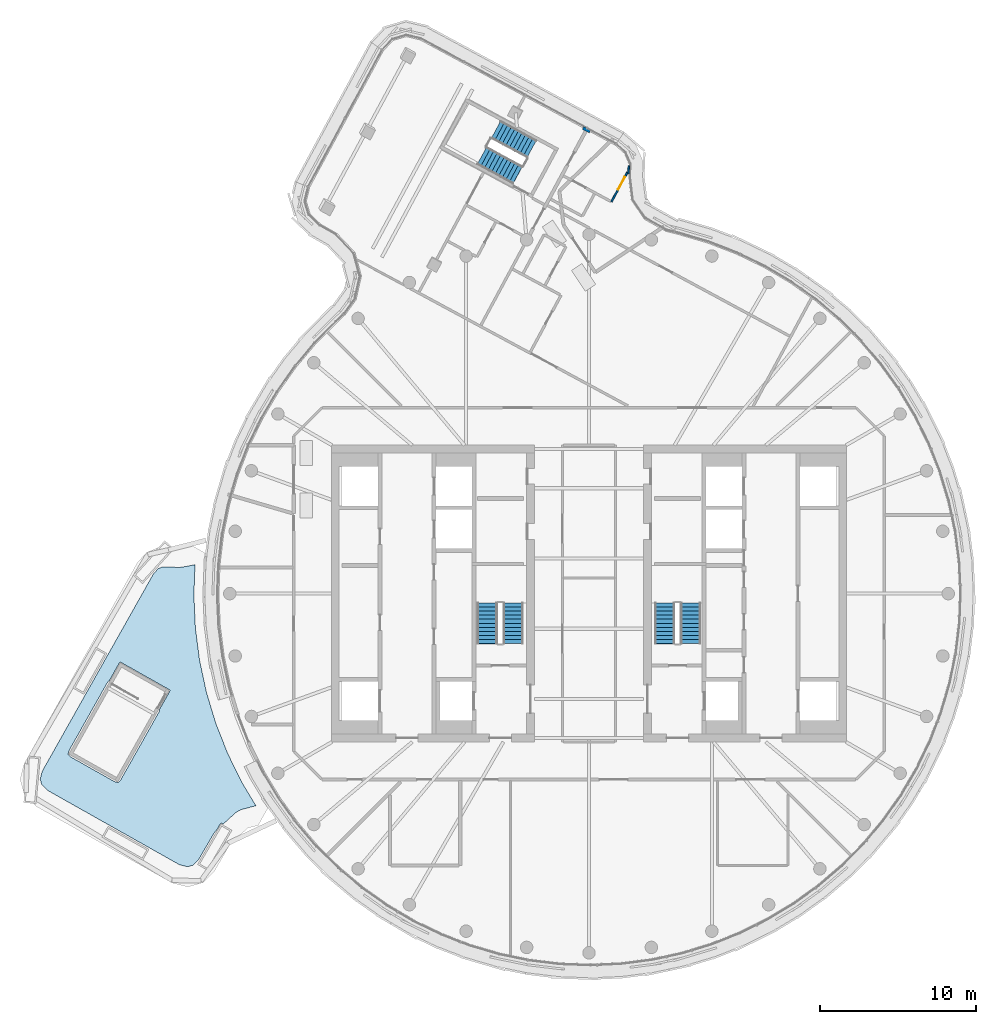
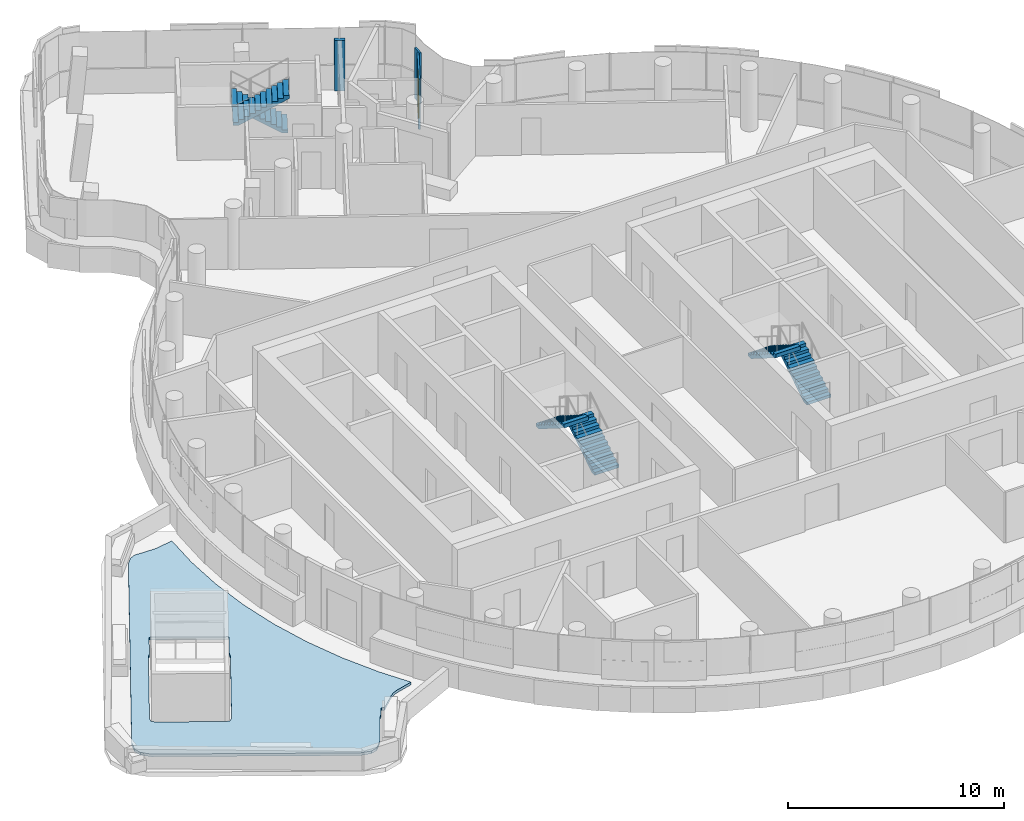
# One storey, part 17 of 22: 6 stair flights, 3 walls, 1 door, 1 roof, 1 opening, 3 elements without a shape of their own.
"""IFC4 building model written with IfcOpenShell, lengths in metres."""

from ifc_helpers import new_model, si_unit, direction, frame, frame_2d, origin, place, context, subcontext, project, spatial, polyline, rectangle, outline, extrude, material, layer, layer_set, type_object, element, fill, aggregate, save


model = new_model("IFC4")

# Units and contexts
model_context = context("Model", 3, precision=1e-05, world=origin(), true_north=direction((0.0, 1.0)))
body_context = subcontext(model_context, "Body", "Model", "MODEL_VIEW")
ifc_project = project(units=[si_unit("LENGTHUNIT", "METRE"), si_unit("AREAUNIT", "SQUARE_METRE"), si_unit("VOLUMEUNIT", "CUBIC_METRE"), si_unit("PLANEANGLEUNIT", "RADIAN"), si_unit("MASSUNIT", "GRAM", prefix="KILO")], contexts=[model_context])

# Site, building, storey
site_placement = place(None, origin())
site = spatial("IfcSite", under=ifc_project, at=site_placement, CompositionType="ELEMENT")
building_placement = place(site_placement, origin())
building = spatial("IfcBuilding", under=site, at=building_placement, Name="Tamarind Cross Interchange Tower", CompositionType="ELEMENT")
storey_placement = place(building_placement, frame((0.0, 0.0, 256.800048828125)))
storey = spatial("IfcBuildingStorey", under=building, at=storey_placement, Name="L65", CompositionType="ELEMENT", Elevation=256.800048828125)

# Wall, opening, door
ifc_material_1 = material(Name="Gypsum board partition on steel studs", Category="steel")
ifc_layer_1 = layer(ifc_material_1, 0.10009765625)
ifc_layer_set_1 = layer_set([ifc_layer_1], Name="Gypsum board partition on steel studs")
wall_type_1 = type_object("IfcWallType", Name="Partition 100 mm EI 90", PredefinedType="PARTITIONING", material=ifc_layer_set_1)
wall_1_placement = place(storey_placement, frame((1.43896484375, 25.0869140625, 0.0), z_axis=(0.0, 0.0, 1.0), x_axis=(0.475008069141, 0.87998143972, 0.0)))
wall_1 = element("IfcWall", 1, at=wall_1_placement, inside=storey, type_object=wall_type_1, Name="Partition L65-039", PredefinedType="PARTITIONING", context=body_context, shape_type="SweptSolid", body=[
    extrude(rectangle(XDim=2.1474609375, YDim=0.10009765625, at=frame_2d((1.07373046875, 0.0))), origin(), (0.0, 0.0, 1.0), 2.864013671875),
])
opening_placement = place(wall_1_placement, frame((0.89990234375, 0.0, 0.0)))
opening = element("IfcOpeningElement", 2, at=opening_placement, cuts=wall_1, Name="Opening D18", PredefinedType="OPENING", context=body_context, shape_type="SweptSolid", body=[
    extrude(rectangle(XDim=0.89990234375, YDim=2.10009765625, at=frame_2d((0.449951171875, 1.050048828125))), frame((0.0, 0.06005859375, 0.0), z_axis=(0.0, -1.0, 0.0), x_axis=(1.0, 0.0, 0.0)), (0.0, 0.0, 1.0), 0.1201171875),
])
ifc_material_2 = material(Name="Fire-resisting door set")
door_type = type_object("IfcDoorType", Name="Interior door 900 x 2100 FD60S", OperationType="SINGLE_SWING_LEFT", PredefinedType="DOOR", material=ifc_material_2)
door_placement = place(opening_placement, origin())
door = element("IfcDoor", 3, at=door_placement, inside=storey, type_object=door_type, Name="Door D18", OperationType="SINGLE_SWING_LEFT", OverallHeight=2.10009765625, OverallWidth=0.89990234375, PredefinedType="DOOR", context=body_context, shape_type="SweptSolid", body=[
    extrude(rectangle(XDim=0.89990234375, YDim=2.10009765625, at=frame_2d((0.449951171875, 1.050048828125))), frame((0.0, 0.02490234375, 0.0), z_axis=(0.0, -1.0, 0.0), x_axis=(1.0, 0.0, 0.0)), (0.0, 0.0, 1.0), 0.050048828125),
])
fill(opening, door)

# Walls
wall_2_placement = place(storey_placement, frame((2.5322265625, 26.880615234375, 0.0), z_axis=(0.0, 0.0, 1.0), x_axis=(0.039539159627, 0.999218021683, 0.0)))
element("IfcWall", 4, at=wall_2_placement, inside=storey, type_object=wall_type_1, Name="Partition L65-053", PredefinedType="PARTITIONING", context=body_context, shape_type="SweptSolid", body=[
    extrude(rectangle(XDim=0.500244140625, YDim=0.10009765625, at=frame_2d((0.25, 0.0))), origin(), (0.0, 0.0, 1.0), 2.864013671875),
])
ifc_layer_2 = layer(ifc_material_1, 0.199951171875)
ifc_layer_set_2 = layer_set([ifc_layer_2], Name="Gypsum board partition on steel studs")
wall_type_2 = type_object("IfcWallType", Name="Partition 200 mm EI 180", PredefinedType="PARTITIONING", material=ifc_layer_set_2)
wall_3_placement = place(storey_placement, frame((0.057861328125, 29.581298828125, 0.0), z_axis=(0.0, 0.0, 1.0), x_axis=(-0.880125838865, 0.474740463583, 0.0)))
element("IfcWall", 5, at=wall_3_placement, inside=storey, type_object=wall_type_2, Name="Partition L65-054", PredefinedType="PARTITIONING", context=body_context, shape_type="SweptSolid", body=[
    extrude(rectangle(XDim=0.499755859375, YDim=0.199951171875, at=frame_2d((0.25, 0.0))), origin(), (0.0, 0.0, 1.0), 2.864013671875),
])

# Stair, stair flights
ifc_material_3 = material(Name="Exit stair")
stair_type = type_object("IfcStairType", Name="Exit stair", PredefinedType="HALF_TURN_STAIR", material=ifc_material_3)
stair_1_placement = place(storey_placement, origin())
stair_1 = element("IfcStair", 6, at=stair_1_placement, inside=storey, type_object=stair_type, Name="L65 exit stair ST1", PredefinedType="HALF_TURN_STAIR")
ifc_material_4 = material(Name="Exit stair flight")
stair_flight_type = type_object("IfcStairFlightType", Name="Exit stair flight", PredefinedType="STRAIGHT", material=ifc_material_4)
stair_flight_1_placement = place(storey_placement, frame((-4.85009765625, -3.199951171875, 0.0), z_axis=(0.0, 0.0, 1.0), x_axis=(0.0, 1.0, 0.0)))
stair_flight_1 = element("IfcStairFlight", 7, at=stair_flight_1_placement, type_object=stair_flight_type, Name="ST1 flight 1", NumberOfRisers=11, NumberOfTreads=10, PredefinedType="STRAIGHT", RiserHeight=0.163636364, TreadLength=0.26, context=body_context, shape_type="SweptSolid", body=[
    extrude(outline(polyline([(0.0, 0.0), (0.0, 0.16357421875), (0.260009765625, 0.16357421875), (0.260009765625, 0.327392578125), (0.52001953125, 0.327392578125), (0.52001953125, 0.490966796875), (0.780029296875, 0.490966796875), (0.780029296875, 0.654541015625), (1.0400390625, 0.654541015625), (1.0400390625, 0.818115234375), (1.300048828125, 0.818115234375), (1.300048828125, 0.98193359375), (1.56005859375, 0.98193359375), (1.56005859375, 1.1455078125), (1.820068359375, 1.1455078125), (1.820068359375, 1.30908203125), (2.080078125, 1.30908203125), (2.080078125, 1.47265625), (2.340087890625, 1.47265625), (2.340087890625, 1.636474609375), (2.60009765625, 1.636474609375), (2.60009765625, 1.800048828125), (2.60009765625, 1.459228515625), (0.281494140625, 0.0), (0.0, 0.0)])), frame((0.0, 0.64990234375, 0.0), z_axis=(0.0, -1.0, 0.0), x_axis=(1.0, 0.0, 0.0)), (0.0, 0.0, 1.0), 1.300048828125),
])
stair_flight_2_placement = place(storey_placement, frame((-6.5, -0.60009765625, 1.800048828125), z_axis=(0.0, 0.0, 1.0), x_axis=(0.0, -1.0, 0.0)))
stair_flight_2 = element("IfcStairFlight", 8, at=stair_flight_2_placement, type_object=stair_flight_type, Name="ST1 flight 2", NumberOfRisers=11, NumberOfTreads=10, PredefinedType="STRAIGHT", RiserHeight=0.163636364, TreadLength=0.26, context=body_context, shape_type="SweptSolid", body=[
    extrude(outline(polyline([(0.0, 0.0), (0.0, 0.16357421875), (0.260009765625, 0.16357421875), (0.260009765625, 0.327392578125), (0.52001953125, 0.327392578125), (0.52001953125, 0.490966796875), (0.780029296875, 0.490966796875), (0.780029296875, 0.654541015625), (1.0400390625, 0.654541015625), (1.0400390625, 0.818115234375), (1.300048828125, 0.818115234375), (1.300048828125, 0.98193359375), (1.56005859375, 0.98193359375), (1.56005859375, 1.1455078125), (1.820068359375, 1.1455078125), (1.820068359375, 1.30908203125), (2.080078125, 1.30908203125), (2.080078125, 1.47265625), (2.340087890625, 1.47265625), (2.340087890625, 1.636474609375), (2.60009765625, 1.636474609375), (2.60009765625, 1.679931640625), (2.612060546875, 1.679931640625), (2.612060546875, 1.466796875), (0.281494140625, 0.0), (0.0, 0.0)])), frame((0.0, 0.64990234375, 0.0), z_axis=(0.0, -1.0, 0.0), x_axis=(1.0, 0.0, 0.0)), (0.0, 0.0, 1.0), 1.300048828125),
])
aggregate(stair_1, [stair_flight_1, stair_flight_2])

stair_2_placement = place(storey_placement, origin())
stair_2 = element("IfcStair", 9, at=stair_2_placement, inside=storey, type_object=stair_type, Name="L65 exit stair ST2", PredefinedType="HALF_TURN_STAIR")
stair_flight_3_placement = place(storey_placement, frame((6.5, -3.199951171875, 0.0), z_axis=(0.0, 0.0, 1.0), x_axis=(0.0, 1.0, 0.0)))
stair_flight_3 = element("IfcStairFlight", 10, at=stair_flight_3_placement, type_object=stair_flight_type, Name="ST2 flight 1", NumberOfRisers=11, NumberOfTreads=10, PredefinedType="STRAIGHT", RiserHeight=0.163636364, TreadLength=0.26, context=body_context, shape_type="SweptSolid", body=[
    extrude(outline(polyline([(0.0, 0.0), (0.0, 0.16357421875), (0.260009765625, 0.16357421875), (0.260009765625, 0.327392578125), (0.52001953125, 0.327392578125), (0.52001953125, 0.490966796875), (0.780029296875, 0.490966796875), (0.780029296875, 0.654541015625), (1.0400390625, 0.654541015625), (1.0400390625, 0.818115234375), (1.300048828125, 0.818115234375), (1.300048828125, 0.98193359375), (1.56005859375, 0.98193359375), (1.56005859375, 1.1455078125), (1.820068359375, 1.1455078125), (1.820068359375, 1.30908203125), (2.080078125, 1.30908203125), (2.080078125, 1.47265625), (2.340087890625, 1.47265625), (2.340087890625, 1.636474609375), (2.60009765625, 1.636474609375), (2.60009765625, 1.800048828125), (2.60009765625, 1.459228515625), (0.281494140625, 0.0), (0.0, 0.0)])), frame((0.0, 0.64990234375, 0.0), z_axis=(0.0, -1.0, 0.0), x_axis=(1.0, 0.0, 0.0)), (0.0, 0.0, 1.0), 1.300048828125),
])
stair_flight_4_placement = place(storey_placement, frame((4.85009765625, -0.60009765625, 1.800048828125), z_axis=(0.0, 0.0, 1.0), x_axis=(0.0, -1.0, 0.0)))
stair_flight_4 = element("IfcStairFlight", 11, at=stair_flight_4_placement, type_object=stair_flight_type, Name="ST2 flight 2", NumberOfRisers=11, NumberOfTreads=10, PredefinedType="STRAIGHT", RiserHeight=0.163636364, TreadLength=0.26, context=body_context, shape_type="SweptSolid", body=[
    extrude(outline(polyline([(0.0, 0.0), (0.0, 0.16357421875), (0.260009765625, 0.16357421875), (0.260009765625, 0.327392578125), (0.52001953125, 0.327392578125), (0.52001953125, 0.490966796875), (0.780029296875, 0.490966796875), (0.780029296875, 0.654541015625), (1.0400390625, 0.654541015625), (1.0400390625, 0.818115234375), (1.300048828125, 0.818115234375), (1.300048828125, 0.98193359375), (1.56005859375, 0.98193359375), (1.56005859375, 1.1455078125), (1.820068359375, 1.1455078125), (1.820068359375, 1.30908203125), (2.080078125, 1.30908203125), (2.080078125, 1.47265625), (2.340087890625, 1.47265625), (2.340087890625, 1.636474609375), (2.60009765625, 1.636474609375), (2.60009765625, 1.679931640625), (2.612060546875, 1.679931640625), (2.612060546875, 1.466796875), (0.281494140625, 0.0), (0.0, 0.0)])), frame((0.0, 0.64990234375, 0.0), z_axis=(0.0, -1.0, 0.0), x_axis=(1.0, 0.0, 0.0)), (0.0, 0.0, 1.0), 1.300048828125),
])
aggregate(stair_2, [stair_flight_3, stair_flight_4])

stair_3_placement = place(storey_placement, origin())
stair_3 = element("IfcStair", 12, at=stair_3_placement, inside=storey, type_object=stair_type, Name="L65 exit stair ST4", PredefinedType="HALF_TURN_STAIR")
stair_flight_5_placement = place(storey_placement, frame((-3.66796875, 28.46826171875, 0.0), z_axis=(0.0, 0.0, 1.0), x_axis=(-0.880006935002, 0.474960834541, 0.0)))
stair_flight_5 = element("IfcStairFlight", 13, at=stair_flight_5_placement, type_object=stair_flight_type, Name="ST4 flight 1", NumberOfRisers=11, NumberOfTreads=10, PredefinedType="STRAIGHT", RiserHeight=0.163636364, TreadLength=0.26, context=body_context, shape_type="SweptSolid", body=[
    extrude(outline(polyline([(0.0, 0.0), (0.0, 0.16357421875), (0.260009765625, 0.16357421875), (0.260009765625, 0.327392578125), (0.52001953125, 0.327392578125), (0.52001953125, 0.490966796875), (0.780029296875, 0.490966796875), (0.780029296875, 0.654541015625), (1.0400390625, 0.654541015625), (1.0400390625, 0.818115234375), (1.300048828125, 0.818115234375), (1.300048828125, 0.98193359375), (1.56005859375, 0.98193359375), (1.56005859375, 1.1455078125), (1.820068359375, 1.1455078125), (1.820068359375, 1.30908203125), (2.080078125, 1.30908203125), (2.080078125, 1.47265625), (2.340087890625, 1.47265625), (2.340087890625, 1.636474609375), (2.60009765625, 1.636474609375), (2.60009765625, 1.800048828125), (2.60009765625, 1.459228515625), (0.281494140625, 0.0), (0.0, 0.0)])), frame((0.0, 0.64990234375, 0.0), z_axis=(0.0, -1.0, 0.0), x_axis=(1.0, 0.0, 0.0)), (0.0, 0.0, 1.0), 1.300048828125),
])
stair_flight_6_placement = place(storey_placement, frame((-6.8583984375, 28.03125, 1.800048828125), z_axis=(0.0, 0.0, 1.0), x_axis=(0.880006935002, -0.474960834541, 0.0)))
stair_flight_6 = element("IfcStairFlight", 14, at=stair_flight_6_placement, type_object=stair_flight_type, Name="ST4 flight 2", NumberOfRisers=11, NumberOfTreads=10, PredefinedType="STRAIGHT", RiserHeight=0.163636364, TreadLength=0.26, context=body_context, shape_type="SweptSolid", body=[
    extrude(outline(polyline([(0.0, 0.0), (0.0, 0.16357421875), (0.260009765625, 0.16357421875), (0.260009765625, 0.327392578125), (0.52001953125, 0.327392578125), (0.52001953125, 0.490966796875), (0.780029296875, 0.490966796875), (0.780029296875, 0.654541015625), (1.0400390625, 0.654541015625), (1.0400390625, 0.818115234375), (1.300048828125, 0.818115234375), (1.300048828125, 0.98193359375), (1.56005859375, 0.98193359375), (1.56005859375, 1.1455078125), (1.820068359375, 1.1455078125), (1.820068359375, 1.30908203125), (2.080078125, 1.30908203125), (2.080078125, 1.47265625), (2.340087890625, 1.47265625), (2.340087890625, 1.636474609375), (2.60009765625, 1.636474609375), (2.60009765625, 1.679931640625), (2.612060546875, 1.679931640625), (2.612060546875, 1.466796875), (0.281494140625, 0.0), (0.0, 0.0)])), frame((0.0, 0.64990234375, 0.0), z_axis=(0.0, -1.0, 0.0), x_axis=(1.0, 0.0, 0.0)), (0.0, 0.0, 1.0), 1.300048828125),
])
aggregate(stair_3, [stair_flight_5, stair_flight_6])

# Roof
ifc_material_5 = material(Name="Soil and planting substrate")
ifc_layer_3 = layer(ifc_material_5, 0.14990234375)
ifc_layer_set_3 = layer_set([ifc_layer_3], Name="Soil and planting substrate")
roof_type = type_object("IfcRoofType", Name="Green roof", PredefinedType="USERDEFINED", material=ifc_layer_set_3)
roof_placement = place(storey_placement, origin())
element("IfcRoof", 15, at=roof_placement, inside=storey, type_object=roof_type, Name="GRF-L65-W", ObjectType="Green roof", PredefinedType="USERDEFINED", context=body_context, shape_type="SweptSolid", body=[
    extrude(outline(polyline([(-27.892333984375, 1.255859375), (-35.002685546875, -11.3623046875), (-35.135986328125, -11.881103515625), (-35.037841796875, -12.233154296875), (-34.655029296875, -12.60791015625), (-26.229736328125, -17.355712890625), (-25.710693359375, -17.489013671875), (-25.35888671875, -17.390625), (-24.9775390625, -17.001220703125), (-24.06201171875, -15.43017578125), (-24.029296875, -15.376953125), (-24.021240234375, -15.364501953125), (-23.947998046875, -15.263427734375), (-23.864990234375, -15.17041015625), (-23.8544921875, -15.15966796875), (-23.83642578125, -15.14208984375), (-23.59326171875, -14.72509765625), (-23.590576171875, -14.720947265625), (-23.587646484375, -14.717041015625), (-23.583984375, -14.713623046875), (-23.580322265625, -14.71044921875), (-23.576416015625, -14.70751953125), (-23.572021484375, -14.705322265625), (-23.5673828125, -14.703369140625), (-23.562744140625, -14.701904296875), (-23.55810546875, -14.70068359375), (-23.55322265625, -14.7001953125), (-23.54833984375, -14.7001953125), (-23.54345703125, -14.70068359375), (-23.53857421875, -14.70166015625), (-23.53369140625, -14.702880859375), (-23.529296875, -14.70458984375), (-23.52490234375, -14.70703125), (-23.4267578125, -14.76416015625), (-22.706298828125, -14.101806640625), (-22.66064453125, -14.0615234375), (-22.6494140625, -14.05224609375), (-22.552001953125, -13.97900390625), (-22.447998046875, -13.915283203125), (-22.33837890625, -13.8623046875), (-22.22412109375, -13.820068359375), (-22.210205078125, -13.81591796875), (-22.151611328125, -13.798828125), (-21.325439453125, -13.582763671875), (-22.164794921875, -12.187744140625), (-22.1796875, -12.162353515625), (-22.184814453125, -12.1533203125), (-22.207763671875, -12.111328125), (-22.2109375, -12.10498046875), (-22.22265625, -12.081787109375), (-23.095458984375, -10.31591796875), (-23.108154296875, -10.289306640625), (-23.112548828125, -10.27978515625), (-23.132080078125, -10.236083984375), (-23.134765625, -10.2294921875), (-23.14453125, -10.20556640625), (-23.868408203125, -8.373291015625), (-23.87890625, -8.345703125), (-23.882568359375, -8.336181640625), (-23.898193359375, -8.290771484375), (-23.900390625, -8.2841796875), (-23.908203125, -8.259521484375), (-24.478515625, -6.373779296875), (-24.486572265625, -6.345458984375), (-24.489501953125, -6.33544921875), (-24.501220703125, -6.2890625), (-24.5029296875, -6.281982421875), (-24.508544921875, -6.2568359375), (-24.921142578125, -4.33056640625), (-24.927001953125, -4.3017578125), (-24.928955078125, -4.29150390625), (-24.93701171875, -4.244140625), (-24.93798828125, -4.2373046875), (-24.941650390625, -4.211669921875), (-25.193603515625, -2.2578125), (-25.197021484375, -2.228515625), (-25.1982421875, -2.21826171875), (-25.202392578125, -2.17041015625), (-25.20263671875, -2.163330078125), (-25.2041015625, -2.1376953125), (-25.294189453125, -0.169677734375), (-25.295166015625, -0.14013671875), (-25.29541015625, -0.1298828125), (-25.29541015625, -0.081787109375), (-25.29541015625, -0.07470703125), (-25.294677734375, -0.048828125), (-25.22412109375, 1.85400390625), (-25.980712890625, 1.7080078125), (-26.04736328125, 1.697021484375), (-26.0634765625, 1.694580078125), (-26.197998046875, 1.68359375), (-26.214111328125, 1.68310546875), (-26.281494140625, 1.682861328125), (-26.950927734375, 1.69970703125), (-26.968505859375, 1.700439453125), (-26.97705078125, 1.70068359375), (-26.994384765625, 1.701416015625), (-27.291259765625, 1.71728515625), (-27.583984375, 1.5966796875), (-27.892333984375, 1.255859375)]), holes=[polyline([(-30.36083984375, -12.04541015625), (-30.38720703125, -12.0322265625), (-33.175048828125, -10.461181640625), (-33.199951171875, -10.445556640625), (-33.22314453125, -10.427490234375), (-33.24462890625, -10.4072265625), (-33.263916015625, -10.385009765625), (-33.281005859375, -10.361083984375), (-33.294921875, -10.336181640625), (-33.32470703125, -10.319580078125), (-33.328857421875, -10.31689453125), (-33.332763671875, -10.313720703125), (-33.336181640625, -10.310546875), (-33.339599609375, -10.306884765625), (-33.34228515625, -10.302734375), (-33.3447265625, -10.298583984375), (-33.3466796875, -10.2939453125), (-33.348388671875, -10.289306640625), (-33.349365234375, -10.28466796875), (-33.35009765625, -10.27978515625), (-33.35009765625, -10.27490234375), (-33.349853515625, -10.27001953125), (-33.34912109375, -10.26513671875), (-33.34765625, -10.26025390625), (-33.345947265625, -10.255615234375), (-33.34375, -10.25146484375), (-33.326904296875, -10.221435546875), (-33.32763671875, -10.193115234375), (-33.32568359375, -10.163818359375), (-33.32080078125, -10.134765625), (-33.31298828125, -10.1064453125), (-33.30224609375, -10.078857421875), (-33.289306640625, -10.052490234375), (-30.84033203125, -5.70703125), (-30.82470703125, -5.68212890625), (-30.806640625, -5.658935546875), (-30.786376953125, -5.637451171875), (-30.76416015625, -5.618408203125), (-30.739990234375, -5.601318359375), (-30.715576171875, -5.587158203125), (-30.0546875, -4.414306640625), (-30.052001953125, -4.41015625), (-30.048828125, -4.40625), (-30.045654296875, -4.40283203125), (-30.0419921875, -4.399658203125), (-30.037841796875, -4.396728515625), (-30.03369140625, -4.394287109375), (-30.029052734375, -4.392333984375), (-30.0244140625, -4.390625), (-30.019775390625, -4.3896484375), (-30.014892578125, -4.388916015625), (-30.010009765625, -4.388916015625), (-30.0048828125, -4.389404296875), (-30.000244140625, -4.39013671875), (-29.995361328125, -4.391357421875), (-29.99072265625, -4.39306640625), (-29.986572265625, -4.395263671875), (-27.0244140625, -6.064453125), (-27.024169921875, -6.064697265625), (-26.85009765625, -6.16259765625), (-26.845947265625, -6.165283203125), (-26.842041015625, -6.16845703125), (-26.83837890625, -6.171630859375), (-26.835205078125, -6.17529296875), (-26.83251953125, -6.179443359375), (-26.830078125, -6.18359375), (-26.828125, -6.188232421875), (-26.826416015625, -6.19287109375), (-26.825439453125, -6.197509765625), (-26.82470703125, -6.202392578125), (-26.82470703125, -6.20751953125), (-26.824951171875, -6.21240234375), (-26.825927734375, -6.217041015625), (-26.8271484375, -6.221923828125), (-26.828857421875, -6.2265625), (-26.8310546875, -6.230712890625), (-27.491943359375, -7.40380859375), (-27.4912109375, -7.431884765625), (-27.493408203125, -7.46142578125), (-27.498291015625, -7.490478515625), (-27.506103515625, -7.518798828125), (-27.5166015625, -7.54638671875), (-27.52978515625, -7.572509765625), (-29.978515625, -11.918212890625), (-29.994384765625, -11.943115234375), (-30.01220703125, -11.96630859375), (-30.03271484375, -11.98779296875), (-30.0546875, -12.0068359375), (-30.078857421875, -12.02392578125), (-30.103515625, -12.0380859375), (-30.120361328125, -12.06787109375), (-30.122802734375, -12.072021484375), (-30.1259765625, -12.075927734375), (-30.12939453125, -12.079345703125), (-30.133056640625, -12.08251953125), (-30.136962890625, -12.08544921875), (-30.141357421875, -12.087890625), (-30.145751953125, -12.08984375), (-30.150390625, -12.091552734375), (-30.1552734375, -12.092529296875), (-30.16015625, -12.093017578125), (-30.1650390625, -12.09326171875), (-30.169921875, -12.093017578125), (-30.1748046875, -12.092041015625), (-30.179443359375, -12.0908203125), (-30.18408203125, -12.089111328125), (-30.1884765625, -12.0869140625), (-30.21826171875, -12.070068359375), (-30.24658203125, -12.07080078125), (-30.27587890625, -12.068603515625), (-30.304931640625, -12.063720703125), (-30.33349609375, -12.055908203125), (-30.36083984375, -12.04541015625)])]), origin(), (0.0, 0.0, 1.0), 0.14990234375),
])

save(model, "model.ifc")
